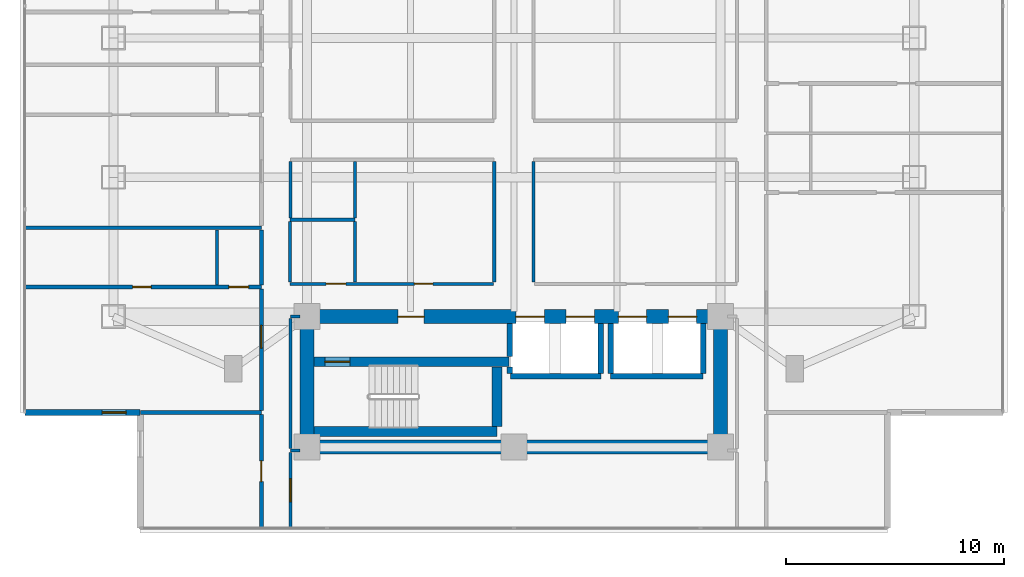
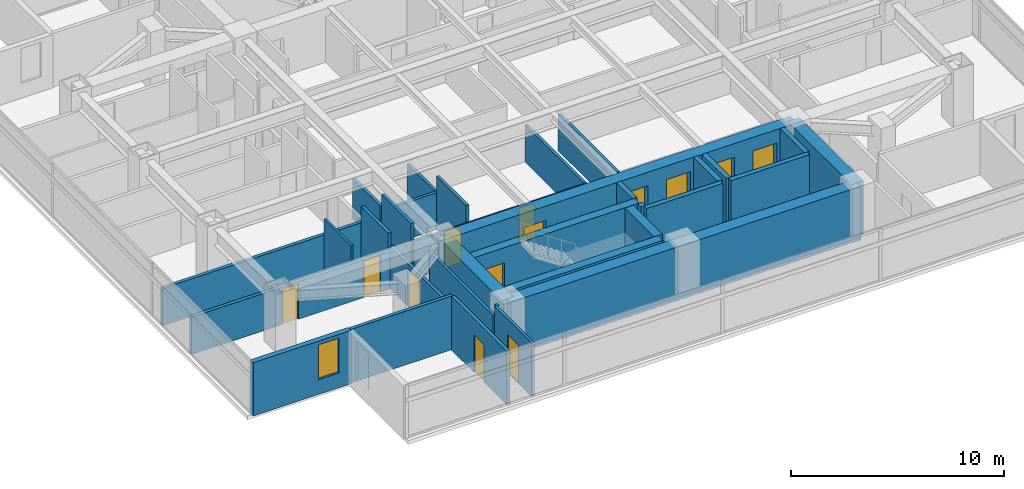
# One storey, part 14 of 26: 34 walls, 13 doors, 1 window, 14 openings.
"""IFC4 building model written with IfcOpenShell, lengths in metres."""

from ifc_helpers import new_model, si_unit, direction, frame, frame_2d, origin, place, context, subcontext, project, spatial, rectangle, extrude, material, layer, layer_set, type_object, element, fill, save


model = new_model("IFC4")

# Units and contexts
model_context = context("Model", 3, precision=1e-05, world=origin(), true_north=direction((0.0, 1.0)))
body_context = subcontext(model_context, "Body", "Model", "MODEL_VIEW")
ifc_project = project(units=[si_unit("LENGTHUNIT", "METRE"), si_unit("AREAUNIT", "SQUARE_METRE"), si_unit("VOLUMEUNIT", "CUBIC_METRE"), si_unit("PLANEANGLEUNIT", "RADIAN"), si_unit("MASSUNIT", "GRAM", prefix="KILO")], contexts=[model_context])

# Site, building, storey
site_placement = place(None, origin())
site = spatial("IfcSite", under=ifc_project, at=site_placement, CompositionType="ELEMENT")
building_placement = place(site_placement, origin())
building = spatial("IfcBuilding", under=site, at=building_placement, Name="Mirazonda Arch Towers", CompositionType="ELEMENT")
storey_placement = place(building_placement, frame((0.0, 0.0, 114.800048828125)))
storey = spatial("IfcBuildingStorey", under=building, at=storey_placement, Name="L32", CompositionType="ELEMENT", Elevation=114.800048828125)

# Wall
ifc_material_1 = material(Name="Concrete C50/60", Category="concrete")
ifc_layer_1 = layer(ifc_material_1, 0.449951171875, Name="WALL-CORE-450")
ifc_layer_set_1 = layer_set([ifc_layer_1], Name="Concrete C50/60")
wall_type_1 = type_object("IfcWallType", Name="WALL-CORE-450", PredefinedType="SHEAR", material=ifc_layer_set_1)
wall_1_placement = place(storey_placement, frame((11.320068359375, 13.1201171875, 0.0), z_axis=(0.0, 0.0, 1.0), x_axis=(1.0, 0.0, 0.0)))
element("IfcWall", 1, at=wall_1_placement, inside=storey, type_object=wall_type_1, Name="L32 Stair Core Shear Wall 003", PredefinedType="SHEAR", context=body_context, shape_type="SweptSolid", body=[
    extrude(rectangle(XDim=8.409912109375, YDim=0.449951171875, at=frame_2d((4.205078125, 0.0))), origin(), (0.0, 0.0, 1.0), 3.079833984375),
])

# Wall, opening, door
wall_2_placement = place(storey_placement, frame((11.320068359375, 16.320068359375, 0.0), z_axis=(0.0, 0.0, 1.0), x_axis=(1.0, 0.0, 0.0)))
wall_2 = element("IfcWall", 2, at=wall_2_placement, inside=storey, type_object=wall_type_1, Name="L32 Stair Core Shear Wall 008", PredefinedType="SHEAR", context=body_context, shape_type="SweptSolid", body=[
    extrude(rectangle(XDim=8.9599609375, YDim=0.449951171875, at=frame_2d((4.47998046875, 0.0))), origin(), (0.0, 0.0, 1.0), 3.079833984375),
])
opening_1_placement = place(wall_2_placement, frame((0.4951171875, 0.0, 0.0)))
opening_1 = element("IfcOpeningElement", 3, at=opening_1_placement, cuts=wall_2, Name="Opening DR-135", PredefinedType="OPENING", context=body_context, shape_type="SweptSolid", body=[
    extrude(rectangle(XDim=1.14990234375, YDim=2.199951171875, at=frame_2d((0.574951171875, 1.10009765625))), frame((0.0, 0.23486328125, 0.0), z_axis=(0.0, -1.0, 0.0), x_axis=(1.0, 0.0, 0.0)), (0.0, 0.0, 1.0), 0.469970703125),
])
ifc_material_2 = material(Name="Architectural Brushed Steel S355", Category="steel")
door_type_1 = type_object("IfcDoorType", Name="DOOR-STAIR-FD90-1150", OperationType="NOTDEFINED", PredefinedType="DOOR", material=ifc_material_2)
door_1_placement = place(opening_1_placement, origin())
door_1 = element("IfcDoor", 4, at=door_1_placement, inside=storey, type_object=door_type_1, Name="L32 Protected Exit Stair South Door", OperationType="SINGLE_SWING_RIGHT", OverallHeight=2.199951171875, OverallWidth=1.14990234375, PredefinedType="DOOR", context=body_context, shape_type="SweptSolid", body=[
    extrude(rectangle(XDim=1.14990234375, YDim=2.199951171875, at=frame_2d((0.574951171875, 1.10009765625))), frame((0.0, 0.02490234375, 0.0), z_axis=(0.0, -1.0, 0.0), x_axis=(1.0, 0.0, 0.0)), (0.0, 0.0, 1.0), 0.050048828125),
])
fill(opening_1, door_1)

# Walls
wall_3_placement = place(storey_placement, frame((19.72998046875, 13.35498046875, 0.0), z_axis=(0.0, 0.0, 1.0), x_axis=(0.0, 1.0, 0.0)))
element("IfcWall", 5, at=wall_3_placement, inside=storey, type_object=wall_type_1, Name="L32 Stair Core Shear Wall 093", PredefinedType="SHEAR", context=body_context, shape_type="SweptSolid", body=[
    extrude(rectangle(XDim=2.72998046875, YDim=0.449951171875, at=frame_2d((1.364990234375, 0.0))), origin(), (0.0, 0.0, 1.0), 3.079833984375),
])
ifc_material_3 = material(Name="Concrete C60/75", Category="concrete")
ifc_layer_2 = layer(ifc_material_3, 0.64990234375, Name="WALL-CORE-650")
ifc_layer_set_2 = layer_set([ifc_layer_2], Name="Concrete C60/75")
wall_type_2 = type_object("IfcWallType", Name="WALL-CORE-650", PredefinedType="SHEAR", material=ifc_layer_set_2)
wall_4_placement = place(storey_placement, frame((11.0, 12.39990234375, 0.0), z_axis=(0.0, 0.0, 1.0), x_axis=(1.0, 0.0, 0.0)))
element("IfcWall", 6, at=wall_4_placement, inside=storey, type_object=wall_type_2, Name="L32 T1S-S Core Shear Wall", PredefinedType="SHEAR", context=body_context, shape_type="SweptSolid", body=[
    extrude(rectangle(XDim=19.0, YDim=0.64990234375, at=frame_2d((9.5, 0.0))), origin(), (0.0, 0.0, 1.0), 3.079833984375),
])
for number, where, z_axis, x_axis, name in (
    (7, (11.0, 12.39990234375, 0.0), (0.0, 0.0, 1.0), (0.0, 1.0, 0.0), "L32 T1S-W Core Shear Wall"),
    (8, (30.0, 12.39990234375, 0.0), (0.0, 0.0, 1.0), (0.0, 1.0, 0.0), "L32 T1S-E Core Shear Wall"),
):
    element("IfcWall", number, at=place(storey_placement, frame(where, z_axis=z_axis, x_axis=x_axis)), inside=storey, type_object=wall_type_2, Name=name, PredefinedType="SHEAR", context=body_context, shape_type="SweptSolid", body=[
        extrude(rectangle(XDim=6.0, YDim=0.64990234375, at=frame_2d((3.0, 0.0))), origin(), (0.0, 0.0, 1.0), 3.079833984375),
    ])

# Wall, openings, doors
wall_5_placement = place(storey_placement, frame((11.0, 18.39990234375, 0.0), z_axis=(0.0, 0.0, 1.0), x_axis=(1.0, 0.0, 0.0)))
wall_5 = element("IfcWall", 9, at=wall_5_placement, inside=storey, type_object=wall_type_2, Name="L32 T1S-N Core Shear Wall", PredefinedType="SHEAR", context=body_context, shape_type="SweptSolid", body=[
    extrude(rectangle(XDim=19.0, YDim=0.64990234375, at=frame_2d((9.5, 0.0))), origin(), (0.0, 0.0, 1.0), 3.079833984375),
])
opening_2_placement = place(wall_5_placement, frame((4.175048828125, 0.0, 0.0)))
opening_2 = element("IfcOpeningElement", 10, at=opening_2_placement, cuts=wall_5, Name="Opening DR-117", PredefinedType="OPENING", context=body_context, shape_type="SweptSolid", body=[
    extrude(rectangle(XDim=1.199951171875, YDim=2.25, at=frame_2d((0.60009765625, 1.125))), frame((0.0, 0.3349609375, 0.0), z_axis=(0.0, -1.0, 0.0), x_axis=(1.0, 0.0, 0.0)), (0.0, 0.0, 1.0), 0.669921875),
])
opening_3_placement = place(wall_5_placement, frame((9.60009765625, 0.0, 0.0)))
opening_3 = element("IfcOpeningElement", 11, at=opening_3_placement, cuts=wall_5, Name="Opening LD-111", PredefinedType="OPENING", context=body_context, shape_type="SweptSolid", body=[
    extrude(rectangle(XDim=1.300048828125, YDim=2.300048828125, at=frame_2d((0.64990234375, 1.14990234375))), frame((0.0, 0.3349609375, 0.0), z_axis=(0.0, -1.0, 0.0), x_axis=(1.0, 0.0, 0.0)), (0.0, 0.0, 1.0), 0.669921875),
])
opening_4_placement = place(wall_5_placement, frame((11.89990234375, 0.0, 0.0)))
opening_4 = element("IfcOpeningElement", 12, at=opening_4_placement, cuts=wall_5, Name="Opening LD-111", PredefinedType="OPENING", context=body_context, shape_type="SweptSolid", body=[
    extrude(rectangle(XDim=1.300048828125, YDim=2.300048828125, at=frame_2d((0.64990234375, 1.14990234375))), frame((0.0, 0.3349609375, 0.0), z_axis=(0.0, -1.0, 0.0), x_axis=(1.0, 0.0, 0.0)), (0.0, 0.0, 1.0), 0.669921875),
])
opening_5_placement = place(wall_5_placement, frame((14.300048828125, 0.0, 0.0)))
opening_5 = element("IfcOpeningElement", 13, at=opening_5_placement, cuts=wall_5, Name="Opening LD-111", PredefinedType="OPENING", context=body_context, shape_type="SweptSolid", body=[
    extrude(rectangle(XDim=1.300048828125, YDim=2.300048828125, at=frame_2d((0.64990234375, 1.14990234375))), frame((0.0, 0.3349609375, 0.0), z_axis=(0.0, -1.0, 0.0), x_axis=(1.0, 0.0, 0.0)), (0.0, 0.0, 1.0), 0.669921875),
])
opening_6_placement = place(wall_5_placement, frame((16.60009765625, 0.0, 0.0)))
opening_6 = element("IfcOpeningElement", 14, at=opening_6_placement, cuts=wall_5, Name="Opening LD-111", PredefinedType="OPENING", context=body_context, shape_type="SweptSolid", body=[
    extrude(rectangle(XDim=1.300048828125, YDim=2.300048828125, at=frame_2d((0.64990234375, 1.14990234375))), frame((0.0, 0.3349609375, 0.0), z_axis=(0.0, -1.0, 0.0), x_axis=(1.0, 0.0, 0.0)), (0.0, 0.0, 1.0), 0.669921875),
])
door_type_2 = type_object("IfcDoorType", Name="DOOR-FFL-FD90-1200", OperationType="NOTDEFINED", PredefinedType="DOOR", material=ifc_material_2)
door_2_placement = place(opening_2_placement, origin())
door_2 = element("IfcDoor", 15, at=door_2_placement, inside=storey, type_object=door_type_2, Name="L32 South Core Stair & Lift Lobby Door", OperationType="SINGLE_SWING_LEFT", OverallHeight=2.25, OverallWidth=1.199951171875, PredefinedType="DOOR", context=body_context, shape_type="SweptSolid", body=[
    extrude(rectangle(XDim=1.199951171875, YDim=2.25, at=frame_2d((0.60009765625, 1.125))), frame((0.0, 0.02490234375, 0.0), z_axis=(0.0, -1.0, 0.0), x_axis=(1.0, 0.0, 0.0)), (0.0, 0.0, 1.0), 0.050048828125),
])
fill(opening_2, door_2)
door_type_3 = type_object("IfcDoorType", Name="DOOR-LIFT-LAND-1300", OperationType="NOTDEFINED", PredefinedType="DOOR", material=ifc_material_2)
door_3_placement = place(opening_3_placement, origin())
door_3 = element("IfcDoor", 16, at=door_3_placement, inside=storey, type_object=door_type_3, Name="L32 Lift Landing Sliding Door PL-T1M1", OperationType="DOUBLE_DOOR_SLIDING", OverallHeight=2.300048828125, OverallWidth=1.300048828125, PredefinedType="DOOR", context=body_context, shape_type="SweptSolid", body=[
    extrude(rectangle(XDim=1.300048828125, YDim=2.300048828125, at=frame_2d((0.64990234375, 1.14990234375))), frame((0.0, 0.02490234375, 0.0), z_axis=(0.0, -1.0, 0.0), x_axis=(1.0, 0.0, 0.0)), (0.0, 0.0, 1.0), 0.050048828125),
])
fill(opening_3, door_3)
door_4_placement = place(opening_4_placement, origin())
door_4 = element("IfcDoor", 17, at=door_4_placement, inside=storey, type_object=door_type_3, Name="L32 Lift Landing Sliding Door PL-T1M2", OperationType="DOUBLE_DOOR_SLIDING", OverallHeight=2.300048828125, OverallWidth=1.300048828125, PredefinedType="DOOR", context=body_context, shape_type="SweptSolid", body=[
    extrude(rectangle(XDim=1.300048828125, YDim=2.300048828125, at=frame_2d((0.64990234375, 1.14990234375))), frame((0.0, 0.02490234375, 0.0), z_axis=(0.0, -1.0, 0.0), x_axis=(1.0, 0.0, 0.0)), (0.0, 0.0, 1.0), 0.050048828125),
])
fill(opening_4, door_4)
door_5_placement = place(opening_5_placement, origin())
door_5 = element("IfcDoor", 18, at=door_5_placement, inside=storey, type_object=door_type_3, Name="L32 Lift Landing Sliding Door PL-T1H1", OperationType="DOUBLE_DOOR_SLIDING", OverallHeight=2.300048828125, OverallWidth=1.300048828125, PredefinedType="DOOR", context=body_context, shape_type="SweptSolid", body=[
    extrude(rectangle(XDim=1.300048828125, YDim=2.300048828125, at=frame_2d((0.64990234375, 1.14990234375))), frame((0.0, 0.02490234375, 0.0), z_axis=(0.0, -1.0, 0.0), x_axis=(1.0, 0.0, 0.0)), (0.0, 0.0, 1.0), 0.050048828125),
])
fill(opening_5, door_5)
door_6_placement = place(opening_6_placement, origin())
door_6 = element("IfcDoor", 19, at=door_6_placement, inside=storey, type_object=door_type_3, Name="L32 Lift Landing Sliding Door PL-T1H2", OperationType="DOUBLE_DOOR_SLIDING", OverallHeight=2.300048828125, OverallWidth=1.300048828125, PredefinedType="DOOR", context=body_context, shape_type="SweptSolid", body=[
    extrude(rectangle(XDim=1.300048828125, YDim=2.300048828125, at=frame_2d((0.64990234375, 1.14990234375))), frame((0.0, 0.02490234375, 0.0), z_axis=(0.0, -1.0, 0.0), x_axis=(1.0, 0.0, 0.0)), (0.0, 0.0, 1.0), 0.050048828125),
])
fill(opening_6, door_6)

# Wall, opening, window
ifc_material_4 = material(Name="Precast Concrete C40/50", Category="concrete")
ifc_layer_3 = layer(ifc_material_4, 0.280029296875, Name="WALL-EXT-WALL-280")
ifc_layer_set_3 = layer_set([ifc_layer_3], Name="Precast Concrete C40/50")
wall_type_3 = type_object("IfcWallType", Name="WALL-EXT-WALL-280", PredefinedType="SOLIDWALL", material=ifc_layer_set_3)
wall_6_placement = place(storey_placement, frame((-1.969970703125, 13.990966796875, 0.0), z_axis=(0.0, 0.0, 1.0), x_axis=(1.0, 0.0, 0.0)))
wall_6 = element("IfcWall", 20, at=wall_6_placement, inside=storey, type_object=wall_type_3, Name="L32 T1 Corner Notch Return Wall WL-L32-T1-CSW2", PredefinedType="SOLIDWALL", context=body_context, shape_type="SweptSolid", body=[
    extrude(rectangle(XDim=5.304931640625, YDim=0.280029296875, at=frame_2d((2.65234375, 0.0))), origin(), (0.0, 0.0, 1.0), 3.06005859375),
])
opening_7_placement = place(wall_6_placement, frame((3.554931640625, 0.0, 0.85009765625)))
opening_7 = element("IfcOpeningElement", 21, at=opening_7_placement, cuts=wall_6, Name="Opening WN-108", PredefinedType="OPENING", context=body_context, shape_type="SweptSolid", body=[
    extrude(rectangle(XDim=1.10009765625, YDim=2.0, at=frame_2d((0.550048828125, 1.0))), frame((0.0, 0.14990234375, 0.0), z_axis=(0.0, -1.0, 0.0), x_axis=(1.0, 0.0, 0.0)), (0.0, 0.0, 1.0), 0.300048828125),
])
ifc_material_5 = material(Name="Insulated Low-E Solar Glass", Category="glass")
window_type = type_object("IfcWindowType", Name="WIN-NOTCH-1100x2000", PartitioningType="SINGLE_PANEL", PredefinedType="WINDOW", material=ifc_material_5)
window_placement = place(opening_7_placement, origin())
window = element("IfcWindow", 22, at=window_placement, inside=storey, type_object=window_type, Name="L32 Punched Facade Window WN-L32-T1-CSW2", OverallHeight=2.0, OverallWidth=1.10009765625, PartitioningType="SINGLE_PANEL", PredefinedType="WINDOW", context=body_context, shape_type="SweptSolid", body=[
    extrude(rectangle(XDim=1.10009765625, YDim=2.0, at=frame_2d((0.550048828125, 1.0))), frame((0.0, 0.030029296875, 0.0), z_axis=(0.0, -1.0, 0.0), x_axis=(1.0, 0.0, 0.0)), (0.0, 0.0, 1.0), 0.06005859375),
])
fill(opening_7, window)

# Walls
ifc_material_6 = material(Name="Fire-Rated Gypsum Stud Partition")
ifc_layer_4 = layer(ifc_material_6, 0.14990234375, Name="WALL-PART-CORR-150")
ifc_layer_set_4 = layer_set([ifc_layer_4], Name="Fire-Rated Gypsum Stud Partition")
wall_type_4 = type_object("IfcWallType", Name="WALL-PART-CORR-150", PredefinedType="PARTITIONING", material=ifc_layer_set_4)
wall_7_placement = place(storey_placement, frame((10.239990234375, 12.25, 0.0), z_axis=(0.0, 0.0, 1.0), x_axis=(1.0, 0.0, 0.0)))
element("IfcWall", 23, at=wall_7_placement, inside=storey, type_object=wall_type_4, Name="L32 Interior Partition 001", PredefinedType="PARTITIONING", context=body_context, shape_type="SweptSolid", body=[
    extrude(rectangle(XDim=0.43994140625, YDim=0.14990234375, at=frame_2d((0.219970703125, 0.0))), origin(), (0.0, 0.0, 1.0), 3.079833984375),
])
wall_8_placement = place(storey_placement, frame((10.239990234375, 18.39990234375, 0.0), z_axis=(0.0, 0.0, 1.0), x_axis=(1.0, 0.0, 0.0)))
element("IfcWall", 24, at=wall_8_placement, inside=storey, type_object=wall_type_4, Name="L32 Interior Partition 012", PredefinedType="PARTITIONING", context=body_context, shape_type="SweptSolid", body=[
    extrude(rectangle(XDim=0.43994140625, YDim=0.14990234375, at=frame_2d((0.219970703125, 0.0))), origin(), (0.0, 0.0, 1.0), 2.4560546875),
])

# Wall, openings, doors
wall_9_placement = place(storey_placement, frame((10.219970703125, 19.89990234375, 0.0), z_axis=(0.0, 0.0, 1.0), x_axis=(1.0, 0.0, 0.0)))
wall_9 = element("IfcWall", 25, at=wall_9_placement, inside=storey, type_object=wall_type_4, Name="L32 Interior Partition 016", PredefinedType="PARTITIONING", context=body_context, shape_type="SweptSolid", body=[
    extrude(rectangle(XDim=9.340087890625, YDim=0.14990234375, at=frame_2d((4.669921875, 0.0))), origin(), (0.0, 0.0, 1.0), 2.1240234375),
])
opening_8_placement = place(wall_9_placement, frame((1.659912109375, 0.0, 0.0)))
opening_8 = element("IfcOpeningElement", 26, at=opening_8_placement, cuts=wall_9, Name="Opening DR-120", PredefinedType="OPENING", context=body_context, shape_type="SweptSolid", body=[
    extrude(rectangle(XDim=0.89990234375, YDim=2.10009765625, at=frame_2d((0.449951171875, 1.050048828125))), frame((0.0, 0.0849609375, 0.0), z_axis=(0.0, -1.0, 0.0), x_axis=(1.0, 0.0, 0.0)), (0.0, 0.0, 1.0), 0.169921875),
])
opening_9_placement = place(wall_9_placement, frame((5.715087890625, 0.0, 0.0)))
opening_9 = element("IfcOpeningElement", 27, at=opening_9_placement, cuts=wall_9, Name="Opening DR-128", PredefinedType="OPENING", context=body_context, shape_type="SweptSolid", body=[
    extrude(rectangle(XDim=0.85009765625, YDim=2.010009765625, at=frame_2d((0.425048828125, 1.0048828125))), frame((0.0, 0.0849609375, 0.0), z_axis=(0.0, -1.0, 0.0), x_axis=(1.0, 0.0, 0.0)), (0.0, 0.0, 1.0), 0.169921875),
])
door_type_4 = type_object("IfcDoorType", Name="DOOR-RISER-FD60-850", OperationType="NOTDEFINED", PredefinedType="DOOR", material=ifc_material_2)
door_7_placement = place(opening_9_placement, origin())
door_7 = element("IfcDoor", 28, at=door_7_placement, inside=storey, type_object=door_type_4, Name="L32 L32 West Courtyard Study Door", OperationType="SINGLE_SWING_RIGHT", OverallHeight=2.010009765625, OverallWidth=0.85009765625, PredefinedType="DOOR", context=body_context, shape_type="SweptSolid", body=[
    extrude(rectangle(XDim=0.85009765625, YDim=2.010009765625, at=frame_2d((0.425048828125, 1.0048828125))), frame((0.0, 0.02490234375, 0.0), z_axis=(0.0, -1.0, 0.0), x_axis=(1.0, 0.0, 0.0)), (0.0, 0.0, 1.0), 0.050048828125),
])
fill(opening_9, door_7)
door_type_5 = type_object("IfcDoorType", Name="DOOR-WC-900", OperationType="NOTDEFINED", PredefinedType="DOOR", material=ifc_material_2)
door_8_placement = place(opening_8_placement, origin())
door_8 = element("IfcDoor", 29, at=door_8_placement, inside=storey, type_object=door_type_5, Name="L32 Common Accessible WC Door", OperationType="SINGLE_SWING_LEFT", OverallHeight=2.10009765625, OverallWidth=0.89990234375, PredefinedType="DOOR", context=body_context, shape_type="SweptSolid", body=[
    extrude(rectangle(XDim=0.89990234375, YDim=2.10009765625, at=frame_2d((0.449951171875, 1.050048828125))), frame((0.0, 0.02490234375, 0.0), z_axis=(0.0, -1.0, 0.0), x_axis=(1.0, 0.0, 0.0)), (0.0, 0.0, 1.0), 0.050048828125),
])
fill(opening_8, door_8)

# Walls
wall_10_placement = place(storey_placement, frame((10.219970703125, 22.85009765625, 0.0), z_axis=(0.0, 0.0, 1.0), x_axis=(1.0, 0.0, 0.0)))
element("IfcWall", 30, at=wall_10_placement, inside=storey, type_object=wall_type_4, Name="L32 Interior Partition 024", PredefinedType="PARTITIONING", context=body_context, shape_type="SweptSolid", body=[
    extrude(rectangle(XDim=2.97998046875, YDim=0.14990234375, at=frame_2d((1.489990234375, 0.0))), origin(), (0.0, 0.0, 1.0), 2.1240234375),
])
wall_11_placement = place(storey_placement, frame((10.219970703125, 19.985107421875, 0.0), z_axis=(0.0, 0.0, 1.0), x_axis=(0.0, 1.0, 0.0)))
element("IfcWall", 31, at=wall_11_placement, inside=storey, type_object=wall_type_4, Name="L32 Interior Partition 079", PredefinedType="PARTITIONING", context=body_context, shape_type="SweptSolid", body=[
    extrude(rectangle(XDim=2.77978515625, YDim=0.14990234375, at=frame_2d((1.389892578125, 0.0))), origin(), (0.0, 0.0, 1.0), 3.079833984375),
])

# Wall, opening, door
wall_12_placement = place(storey_placement, frame((10.239990234375, 8.68603515625, 0.0), z_axis=(0.0, 0.0, 1.0), x_axis=(0.0, 1.0, 0.0)))
wall_12 = element("IfcWall", 32, at=wall_12_placement, inside=storey, type_object=wall_type_4, Name="L32 Interior Partition 080", PredefinedType="PARTITIONING", context=body_context, shape_type="SweptSolid", body=[
    extrude(rectangle(XDim=3.47900390625, YDim=0.14990234375, at=frame_2d((1.739501953125, 0.0))), origin(), (0.0, 0.0, 1.0), 3.079833984375),
])
opening_10_placement = place(wall_12_placement, frame((1.214599609375, 0.0, 0.0)))
opening_10 = element("IfcOpeningElement", 33, at=opening_10_placement, cuts=wall_12, Name="Opening DR-121", PredefinedType="OPENING", context=body_context, shape_type="SweptSolid", body=[
    extrude(rectangle(XDim=1.050048828125, YDim=2.199951171875, at=frame_2d((0.52490234375, 1.10009765625))), frame((0.0, 0.0849609375, 0.0), z_axis=(0.0, -1.0, 0.0), x_axis=(1.0, 0.0, 0.0)), (0.0, 0.0, 1.0), 0.169921875),
])
door_type_6 = type_object("IfcDoorType", Name="DOOR-SUITE-FD60-1050", OperationType="NOTDEFINED", PredefinedType="DOOR", material=ifc_material_2)
door_9_placement = place(opening_10_placement, origin())
door_9 = element("IfcDoor", 34, at=door_9_placement, inside=storey, type_object=door_type_6, Name="L32 South Horizon Lounge Gallery Door", OperationType="SINGLE_SWING_RIGHT", OverallHeight=2.199951171875, OverallWidth=1.050048828125, PredefinedType="DOOR", context=body_context, shape_type="SweptSolid", body=[
    extrude(rectangle(XDim=1.050048828125, YDim=2.199951171875, at=frame_2d((0.52490234375, 1.10009765625))), frame((0.0, 0.02490234375, 0.0), z_axis=(0.0, -1.0, 0.0), x_axis=(1.0, 0.0, 0.0)), (0.0, 0.0, 1.0), 0.050048828125),
])
fill(opening_10, door_9)

# Walls
wall_13_placement = place(storey_placement, frame((10.239990234375, 12.3349609375, 0.0), z_axis=(0.0, 0.0, 1.0), x_axis=(0.0, 1.0, 0.0)))
element("IfcWall", 35, at=wall_13_placement, inside=storey, type_object=wall_type_4, Name="L32 Interior Partition 081", PredefinedType="PARTITIONING", context=body_context, shape_type="SweptSolid", body=[
    extrude(rectangle(XDim=5.97998046875, YDim=0.14990234375, at=frame_2d((2.989990234375, 0.0))), origin(), (0.0, 0.0, 1.0), 2.4560546875),
])
wall_14_placement = place(storey_placement, frame((10.239990234375, 22.93505859375, 0.0), z_axis=(0.0, 0.0, 1.0), x_axis=(0.0, 1.0, 0.0)))
element("IfcWall", 36, at=wall_14_placement, inside=storey, type_object=wall_type_4, Name="L32 Interior Partition 082", PredefinedType="PARTITIONING", context=body_context, shape_type="SweptSolid", body=[
    extrude(rectangle(XDim=2.579833984375, YDim=0.14990234375, at=frame_2d((1.2900390625, 0.0))), origin(), (0.0, 0.0, 1.0), 2.299072265625),
])
wall_15_placement = place(storey_placement, frame((13.199951171875, 19.985107421875, 0.0), z_axis=(0.0, 0.0, 1.0), x_axis=(0.0, 1.0, 0.0)))
element("IfcWall", 37, at=wall_15_placement, inside=storey, type_object=wall_type_4, Name="L32 Interior Partition 087", PredefinedType="PARTITIONING", context=body_context, shape_type="SweptSolid", body=[
    extrude(rectangle(XDim=2.77978515625, YDim=0.14990234375, at=frame_2d((1.389892578125, 0.0))), origin(), (0.0, 0.0, 1.0), 3.079833984375),
])
wall_16_placement = place(storey_placement, frame((13.199951171875, 22.93505859375, 0.0), z_axis=(0.0, 0.0, 1.0), x_axis=(0.0, 1.0, 0.0)))
element("IfcWall", 38, at=wall_16_placement, inside=storey, type_object=wall_type_4, Name="L32 Interior Partition 088", PredefinedType="PARTITIONING", context=body_context, shape_type="SweptSolid", body=[
    extrude(rectangle(XDim=2.579833984375, YDim=0.14990234375, at=frame_2d((1.2900390625, 0.0))), origin(), (0.0, 0.0, 1.0), 2.1240234375),
])
for number, where, z_axis, x_axis, name in (
    (39, (19.60009765625, 19.985107421875, 0.0), (0.0, 0.0, 1.0), (0.0, 1.0, 0.0), "L32 Interior Partition 091"),
    (40, (21.39990234375, 19.985107421875, 0.0), (0.0, 0.0, 1.0), (0.0, 1.0, 0.0), "L32 Interior Partition 098"),
):
    element("IfcWall", number, at=place(storey_placement, frame(where, z_axis=z_axis, x_axis=x_axis)), inside=storey, type_object=wall_type_4, Name=name, PredefinedType="PARTITIONING", context=body_context, shape_type="SweptSolid", body=[
        extrude(rectangle(XDim=5.52978515625, YDim=0.14990234375, at=frame_2d((2.764892578125, 0.0))), origin(), (0.0, 0.0, 1.0), 2.1240234375),
    ])
ifc_material_7 = material(Name="Fire-Rated Gypsum Twin-Stud Assembly")
ifc_layer_5 = layer(ifc_material_7, 0.179931640625, Name="WALL-PART-DEMISE-180")
ifc_layer_set_5 = layer_set([ifc_layer_5], Name="Fire-Rated Gypsum Twin-Stud Assembly")
wall_type_5 = type_object("IfcWallType", Name="WALL-PART-DEMISE-180", PredefinedType="PARTITIONING", material=ifc_layer_set_5)
wall_17_placement = place(storey_placement, frame((3.35498046875, 13.990966796875, 0.0), z_axis=(0.0, 0.0, 1.0), x_axis=(1.0, 0.0, 0.0)))
element("IfcWall", 41, at=wall_17_placement, inside=storey, type_object=wall_type_5, Name="L32 Interior Partition 004", PredefinedType="PARTITIONING", context=body_context, shape_type="SweptSolid", body=[
    extrude(rectangle(XDim=5.544921875, YDim=0.179931640625, at=frame_2d((2.7724609375, 0.0))), origin(), (0.0, 0.0, 1.0), 3.079833984375),
])

# Wall, openings, doors
wall_18_placement = place(storey_placement, frame((-1.969970703125, 19.759033203125, 0.0), z_axis=(0.0, 0.0, 1.0), x_axis=(1.0, 0.0, 0.0)))
wall_18 = element("IfcWall", 42, at=wall_18_placement, inside=storey, type_object=wall_type_5, Name="L32 Interior Partition 015", PredefinedType="PARTITIONING", context=body_context, shape_type="SweptSolid", body=[
    extrude(rectangle(XDim=10.869873046875, YDim=0.179931640625, at=frame_2d((5.43505859375, 0.0))), origin(), (0.0, 0.0, 1.0), 2.14501953125),
])
opening_11_placement = place(wall_18_placement, frame((4.9599609375, 0.0, 0.0)))
opening_11 = element("IfcOpeningElement", 43, at=opening_11_placement, cuts=wall_18, Name="Opening DR-128", PredefinedType="OPENING", context=body_context, shape_type="SweptSolid", body=[
    extrude(rectangle(XDim=0.85009765625, YDim=2.010009765625, at=frame_2d((0.425048828125, 1.0048828125))), frame((0.0, 0.099853515625, 0.0), z_axis=(0.0, -1.0, 0.0), x_axis=(1.0, 0.0, 0.0)), (0.0, 0.0, 1.0), 0.199951171875),
])
opening_12_placement = place(wall_18_placement, frame((9.3798828125, 0.0, 0.0)))
opening_12 = element("IfcOpeningElement", 44, at=opening_12_placement, cuts=wall_18, Name="Opening DR-120", PredefinedType="OPENING", context=body_context, shape_type="SweptSolid", body=[
    extrude(rectangle(XDim=0.89990234375, YDim=2.10009765625, at=frame_2d((0.449951171875, 1.050048828125))), frame((0.0, 0.099853515625, 0.0), z_axis=(0.0, -1.0, 0.0), x_axis=(1.0, 0.0, 0.0)), (0.0, 0.0, 1.0), 0.199951171875),
])
door_10_placement = place(opening_11_placement, origin())
door_10 = element("IfcDoor", 45, at=door_10_placement, inside=storey, type_object=door_type_4, Name="L32 Suite Bedroom 1 Door", OperationType="SINGLE_SWING_LEFT", OverallHeight=2.010009765625, OverallWidth=0.85009765625, PredefinedType="DOOR", context=body_context, shape_type="SweptSolid", body=[
    extrude(rectangle(XDim=0.85009765625, YDim=2.010009765625, at=frame_2d((0.425048828125, 1.0048828125))), frame((0.0, 0.02490234375, 0.0), z_axis=(0.0, -1.0, 0.0), x_axis=(1.0, 0.0, 0.0)), (0.0, 0.0, 1.0), 0.050048828125),
])
fill(opening_11, door_10)
door_11_placement = place(opening_12_placement, origin())
door_11 = element("IfcDoor", 46, at=door_11_placement, inside=storey, type_object=door_type_5, Name="L32 Suite En-Suite Bathroom 1 Door", OperationType="SINGLE_SWING_RIGHT", OverallHeight=2.10009765625, OverallWidth=0.89990234375, PredefinedType="DOOR", context=body_context, shape_type="SweptSolid", body=[
    extrude(rectangle(XDim=0.89990234375, YDim=2.10009765625, at=frame_2d((0.449951171875, 1.050048828125))), frame((0.0, 0.02490234375, 0.0), z_axis=(0.0, -1.0, 0.0), x_axis=(1.0, 0.0, 0.0)), (0.0, 0.0, 1.0), 0.050048828125),
])
fill(opening_12, door_11)

# Wall
wall_19_placement = place(storey_placement, frame((-1.969970703125, 22.47900390625, 0.0), z_axis=(0.0, 0.0, 1.0), x_axis=(1.0, 0.0, 0.0)))
element("IfcWall", 47, at=wall_19_placement, inside=storey, type_object=wall_type_5, Name="L32 Interior Partition 022", PredefinedType="PARTITIONING", context=body_context, shape_type="SweptSolid", body=[
    extrude(rectangle(XDim=10.869873046875, YDim=0.179931640625, at=frame_2d((5.43505859375, 0.0))), origin(), (0.0, 0.0, 1.0), 2.14501953125),
])

# Wall, opening, door
wall_20_placement = place(storey_placement, frame((8.89990234375, 8.68603515625, 0.0), z_axis=(0.0, 0.0, 1.0), x_axis=(0.0, 1.0, 0.0)))
wall_20 = element("IfcWall", 48, at=wall_20_placement, inside=storey, type_object=wall_type_5, Name="L32 Interior Partition 069", PredefinedType="PARTITIONING", context=body_context, shape_type="SweptSolid", body=[
    extrude(rectangle(XDim=5.205078125, YDim=0.179931640625, at=frame_2d((2.6025390625, 0.0))), origin(), (0.0, 0.0, 1.0), 3.079833984375),
])
opening_13_placement = place(wall_20_placement, frame((2.12744140625, 0.0, 0.0)))
opening_13 = element("IfcOpeningElement", 49, at=opening_13_placement, cuts=wall_20, Name="Opening DR-104", PredefinedType="OPENING", context=body_context, shape_type="SweptSolid", body=[
    extrude(rectangle(XDim=0.949951171875, YDim=2.14990234375, at=frame_2d((0.47509765625, 1.074951171875))), frame((0.0, 0.099853515625, 0.0), z_axis=(0.0, -1.0, 0.0), x_axis=(1.0, 0.0, 0.0)), (0.0, 0.0, 1.0), 0.199951171875),
])
door_type_7 = type_object("IfcDoorType", Name="DOOR-ROOM-950", OperationType="NOTDEFINED", PredefinedType="DOOR", material=ifc_material_2)
door_12_placement = place(opening_13_placement, origin())
door_12 = element("IfcDoor", 50, at=door_12_placement, inside=storey, type_object=door_type_7, Name="L32 South Horizon Lounge Alcove West Door", OperationType="SINGLE_SWING_LEFT", OverallHeight=2.14990234375, OverallWidth=0.949951171875, PredefinedType="DOOR", context=body_context, shape_type="SweptSolid", body=[
    extrude(rectangle(XDim=0.949951171875, YDim=2.14990234375, at=frame_2d((0.47509765625, 1.074951171875))), frame((0.0, 0.02490234375, 0.0), z_axis=(0.0, -1.0, 0.0), x_axis=(1.0, 0.0, 0.0)), (0.0, 0.0, 1.0), 0.050048828125),
])
fill(opening_13, door_12)

wall_21_placement = place(storey_placement, frame((8.89990234375, 14.091064453125, 0.0), z_axis=(0.0, 0.0, 1.0), x_axis=(0.0, 1.0, 0.0)))
wall_21 = element("IfcWall", 51, at=wall_21_placement, inside=storey, type_object=wall_type_5, Name="L32 Interior Partition 070", PredefinedType="PARTITIONING", context=body_context, shape_type="SweptSolid", body=[
    extrude(rectangle(XDim=5.56787109375, YDim=0.179931640625, at=frame_2d((2.783935546875, 0.0))), origin(), (0.0, 0.0, 1.0), 2.4560546875),
])
opening_14_placement = place(wall_21_placement, frame((2.85888671875, 0.0, 0.0)))
opening_14 = element("IfcOpeningElement", 52, at=opening_14_placement, cuts=wall_21, Name="Opening DR-121", PredefinedType="OPENING", context=body_context, shape_type="SweptSolid", body=[
    extrude(rectangle(XDim=1.050048828125, YDim=2.199951171875, at=frame_2d((0.52490234375, 1.10009765625))), frame((0.0, 0.099853515625, 0.0), z_axis=(0.0, -1.0, 0.0), x_axis=(1.0, 0.0, 0.0)), (0.0, 0.0, 1.0), 0.199951171875),
])
door_13_placement = place(opening_14_placement, origin())
door_13 = element("IfcDoor", 53, at=door_13_placement, inside=storey, type_object=door_type_6, Name="L32 Panoramic Suite Salon 1 Door", OperationType="SINGLE_SWING_RIGHT", OverallHeight=2.199951171875, OverallWidth=1.050048828125, PredefinedType="DOOR", context=body_context, shape_type="SweptSolid", body=[
    extrude(rectangle(XDim=1.050048828125, YDim=2.199951171875, at=frame_2d((0.52490234375, 1.10009765625))), frame((0.0, 0.02490234375, 0.0), z_axis=(0.0, -1.0, 0.0), x_axis=(1.0, 0.0, 0.0)), (0.0, 0.0, 1.0), 0.050048828125),
])
fill(opening_14, door_13)

# Walls
wall_22_placement = place(storey_placement, frame((8.89990234375, 19.85888671875, 0.0), z_axis=(0.0, 0.0, 1.0), x_axis=(0.0, 1.0, 0.0)))
element("IfcWall", 54, at=wall_22_placement, inside=storey, type_object=wall_type_5, Name="L32 Interior Partition 071", PredefinedType="PARTITIONING", context=body_context, shape_type="SweptSolid", body=[
    extrude(rectangle(XDim=2.52001953125, YDim=0.179931640625, at=frame_2d((1.260009765625, 0.0))), origin(), (0.0, 0.0, 1.0), 3.079833984375),
])
ifc_material_8 = material(Name="Acoustic Fire-Rated Gypsum Partition")
ifc_layer_6 = layer(ifc_material_8, 0.125, Name="WALL-PART-UNIT-125")
ifc_layer_set_6 = layer_set([ifc_layer_6], Name="Acoustic Fire-Rated Gypsum Partition")
wall_type_6 = type_object("IfcWallType", Name="WALL-PART-UNIT-125", PredefinedType="PARTITIONING", material=ifc_layer_set_6)
wall_23_placement = place(storey_placement, frame((6.860107421875, 19.85888671875, 0.0), z_axis=(0.0, 0.0, 1.0), x_axis=(0.0, 1.0, 0.0)))
element("IfcWall", 55, at=wall_23_placement, inside=storey, type_object=wall_type_6, Name="L32 Interior Partition 065", PredefinedType="PARTITIONING", context=body_context, shape_type="SweptSolid", body=[
    extrude(rectangle(XDim=2.52001953125, YDim=0.125, at=frame_2d((1.260009765625, 0.0))), origin(), (0.0, 0.0, 1.0), 3.079833984375),
])
ifc_material_9 = material(Name="Concrete C40/50", Category="concrete")
ifc_layer_7 = layer(ifc_material_9, 0.25, Name="WALL-SHAFT-250")
ifc_layer_set_7 = layer_set([ifc_layer_7], Name="Concrete C40/50")
wall_type_7 = type_object("IfcWallType", Name="WALL-SHAFT-250", PredefinedType="SOLIDWALL", material=ifc_layer_set_7)
wall_24_placement = place(storey_placement, frame((20.35009765625, 15.64990234375, 0.0), z_axis=(0.0, 0.0, 1.0), x_axis=(1.0, 0.0, 0.0)))
element("IfcWall", 56, at=wall_24_placement, inside=storey, type_object=wall_type_7, Name="L32 Interior Partition 006", PredefinedType="SOLIDWALL", context=body_context, shape_type="SweptSolid", body=[
    extrude(rectangle(XDim=4.14990234375, YDim=0.25, at=frame_2d((2.074951171875, 0.0))), origin(), (0.0, 0.0, 1.0), 3.079833984375),
])
wall_25_placement = place(storey_placement, frame((24.949951171875, 15.64990234375, 0.0), z_axis=(0.0, 0.0, 1.0), x_axis=(1.0, 0.0, 0.0)))
element("IfcWall", 57, at=wall_25_placement, inside=storey, type_object=wall_type_7, Name="L32 Interior Partition 007", PredefinedType="SOLIDWALL", context=body_context, shape_type="SweptSolid", body=[
    extrude(rectangle(XDim=4.25, YDim=0.25, at=frame_2d((2.125, 0.0))), origin(), (0.0, 0.0, 1.0), 3.079833984375),
])
wall_26_placement = place(storey_placement, frame((20.31494140625, 15.784912109375, 0.0), z_axis=(0.0, 0.0, 1.0), x_axis=(0.0, 1.0, 0.0)))
element("IfcWall", 58, at=wall_26_placement, inside=storey, type_object=wall_type_7, Name="L32 Interior Partition 095", PredefinedType="SOLIDWALL", context=body_context, shape_type="SweptSolid", body=[
    extrude(rectangle(XDim=0.300048828125, YDim=0.25, at=frame_2d((0.14990234375, 0.0))), origin(), (0.0, 0.0, 1.0), 3.079833984375),
])
wall_27_placement = place(storey_placement, frame((20.31494140625, 16.554931640625, 0.0), z_axis=(0.0, 0.0, 1.0), x_axis=(0.0, 1.0, 0.0)))
element("IfcWall", 59, at=wall_27_placement, inside=storey, type_object=wall_type_7, Name="L32 Interior Partition 096", PredefinedType="SOLIDWALL", context=body_context, shape_type="SweptSolid", body=[
    extrude(rectangle(XDim=1.525146484375, YDim=0.25, at=frame_2d((0.7626953125, 0.0))), origin(), (0.0, 0.0, 1.0), 3.079833984375),
])
for number, where, z_axis, x_axis, name in (
    (60, (24.5, 15.784912109375, 0.0), (0.0, 0.0, 1.0), (0.0, 1.0, 0.0), "L32 Interior Partition 100"),
    (61, (24.949951171875, 15.784912109375, 0.0), (0.0, 0.0, 1.0), (0.0, 1.0, 0.0), "L32 Interior Partition 102"),
    (62, (29.199951171875, 15.784912109375, 0.0), (0.0, 0.0, 1.0), (0.0, 1.0, 0.0), "L32 Interior Partition 105"),
):
    element("IfcWall", number, at=place(storey_placement, frame(where, z_axis=z_axis, x_axis=x_axis)), inside=storey, type_object=wall_type_7, Name=name, PredefinedType="SOLIDWALL", context=body_context, shape_type="SweptSolid", body=[
        extrude(rectangle(XDim=2.295166015625, YDim=0.25, at=frame_2d((1.1474609375, 0.0))), origin(), (0.0, 0.0, 1.0), 3.079833984375),
    ])

save(model, "model.ifc")
